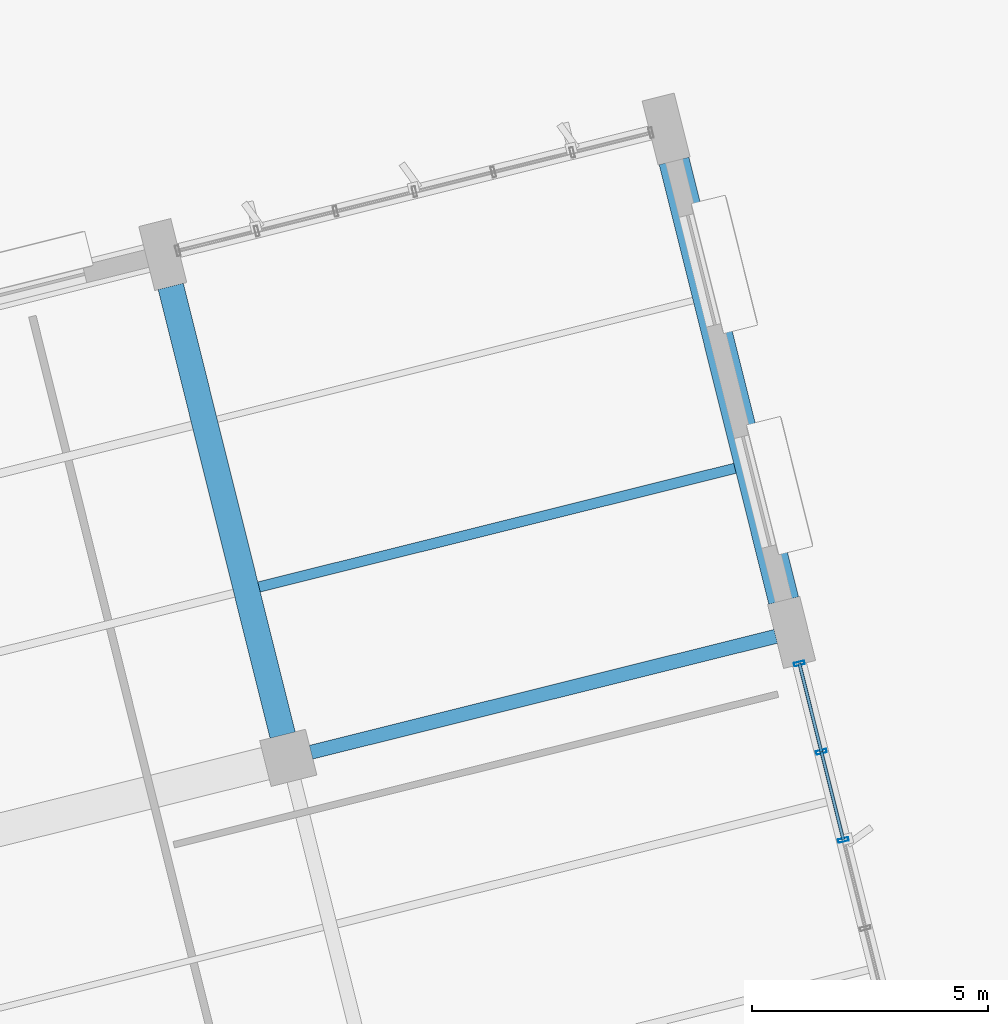
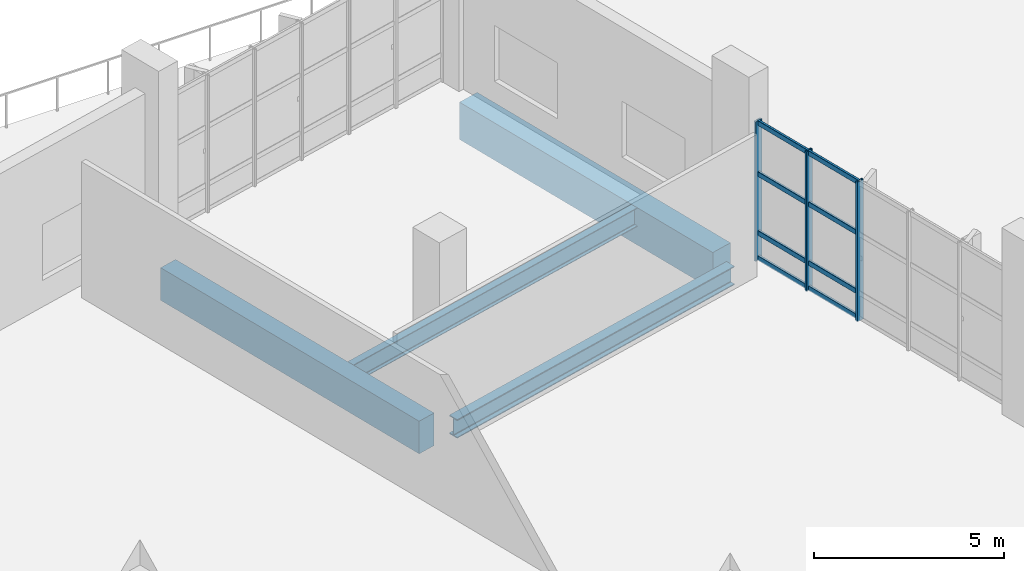
# One storey, part 102 of 163: 11 members, 4 beams, 1 element without a shape of its own.
"""IFC4 building model written with IfcOpenShell, lengths in metres."""

from ifc_helpers import new_model, si_unit, direction, frame, origin, origin_2d, place, context, subcontext, project, spatial, rectangle, hollow_rectangle, i_section, extrude, material, layer, layer_set, material_profile, profile_set, type_object, element, aggregate, save


model = new_model("IFC4")

# Units and contexts
model_context = context("Model", 3, precision=1e-05, world=origin(), true_north=direction((0.0, 1.0)))
body_context = subcontext(model_context, "Body", "Model", "MODEL_VIEW")
ifc_project = project(units=[si_unit("LENGTHUNIT", "METRE"), si_unit("AREAUNIT", "SQUARE_METRE"), si_unit("VOLUMEUNIT", "CUBIC_METRE"), si_unit("PLANEANGLEUNIT", "RADIAN"), si_unit("MASSUNIT", "GRAM", prefix="KILO")], contexts=[model_context])

# Site, building, storey
site_placement = place(None, origin())
site = spatial("IfcSite", under=ifc_project, at=site_placement, CompositionType="ELEMENT")
building_placement = place(site_placement, origin())
building = spatial("IfcBuilding", under=site, at=building_placement, Name="Khorjan Park Terminus", CompositionType="ELEMENT")
storey_placement = place(building_placement, origin())
storey = spatial("IfcBuildingStorey", under=building, at=storey_placement, Name="L00", CompositionType="ELEMENT", Elevation=0.0)

# Beams
ifc_material_1 = material(Name="Steel S355", Category="steel")
ifc_material_profile_1 = material_profile(ifc_material_1, i_section(OverallWidth=0.3, OverallDepth=0.6, WebThickness=0.0155, FlangeThickness=0.03, FilletRadius=0.027, at=origin_2d()), Name="HEB 600")
ifc_profile_set_1 = profile_set([ifc_material_profile_1], Name="Steel S355")
beam_type_1 = type_object("IfcBeamType", Name="BM-HEB600", PredefinedType="BEAM", material=ifc_profile_set_1)
beam_1_placement = place(storey_placement, frame((206.5409, 68.7917, -0.65), z_axis=(0.97029631121, 0.241919549545, 0.0), x_axis=(-0.241919549545, 0.97029631121, 0.0)))
element("IfcBeam", 1, at=beam_1_placement, inside=storey, type_object=beam_type_1, Name="Primary skew-grid floor girder SB-B60 (L00)", PredefinedType="BEAM", context=body_context, shape_type="SweptSolid", body=[
    extrude(i_section(OverallWidth=0.3, OverallDepth=0.6, WebThickness=0.0155, FlangeThickness=0.03, FilletRadius=0.027, at=origin_2d()), origin(), (0.0, 0.0, 1.0), 10.16),
])
ifc_material_2 = material(Name="Concrete C40/50", Category="concrete")
ifc_material_profile_2 = material_profile(ifc_material_2, rectangle(XDim=0.55, YDim=1.05, at=origin_2d()), Name="RC 550x1050")
ifc_profile_set_2 = profile_set([ifc_material_profile_2], Name="Concrete C40/50")
beam_type_2 = type_object("IfcBeamType", Name="BM-RC550x1050", PredefinedType="BEAM", material=ifc_profile_set_2)
beam_2_placement = place(storey_placement, frame((205.9408, 69.1523, -0.875), z_axis=(-0.241916758476, 0.97029700709, 0.0), x_axis=(-0.97029700709, -0.241916758476, 0.0)))
element("IfcBeam", 2, at=beam_2_placement, inside=storey, type_object=beam_type_2, Name="Primary skew-grid floor girder GB-105 (L00)", PredefinedType="BEAM", context=body_context, shape_type="SweptSolid", body=[
    extrude(rectangle(XDim=0.55, YDim=1.05, at=origin_2d()), origin(), (0.0, 0.0, 1.0), 9.81),
])
ifc_material_profile_3 = material_profile(ifc_material_2, rectangle(XDim=0.65, YDim=1.2, at=origin_2d()), Name="RC 650x1200")
ifc_profile_set_3 = profile_set([ifc_material_profile_3], Name="Concrete C40/50")
beam_type_3 = type_object("IfcBeamType", Name="BM-RC650x1200", PredefinedType="BEAM", material=ifc_profile_set_3)
beam_3_placement = place(storey_placement, frame((216.5657, 72.0075, -0.95), z_axis=(-0.241925915978, 0.970294723874, 0.0), x_axis=(-0.970294723874, -0.241925915978, 0.0)))
element("IfcBeam", 3, at=beam_3_placement, inside=storey, type_object=beam_type_3, Name="Primary skew-grid floor girder GB-12 (L00)", PredefinedType="BEAM", context=body_context, shape_type="SweptSolid", body=[
    extrude(rectangle(XDim=0.65, YDim=1.2, at=origin_2d()), origin(), (0.0, 0.0, 1.0), 9.61),
])
ifc_material_profile_4 = material_profile(ifc_material_1, i_section(OverallWidth=0.22, OverallDepth=0.6, WebThickness=0.012, FlangeThickness=0.019, FilletRadius=0.024, at=origin_2d()), Name="IPE 600")
ifc_profile_set_4 = profile_set([ifc_material_profile_4], Name="Steel S355")
beam_type_4 = type_object("IfcBeamType", Name="JS-IPE600", PredefinedType="JOIST", material=ifc_profile_set_4)
beam_4_placement = place(storey_placement, frame((205.4403, 72.2963, -0.65), z_axis=(0.970295586552, 0.241922456002, 0.0), x_axis=(-0.241922456002, 0.970295586552, 0.0)))
element("IfcBeam", 4, at=beam_4_placement, inside=storey, type_object=beam_type_4, Name="Secondary composite floor joist SJ-60 (L00)", PredefinedType="JOIST", context=body_context, shape_type="SweptSolid", body=[
    extrude(i_section(OverallWidth=0.22, OverallDepth=0.6, WebThickness=0.012, FlangeThickness=0.019, FilletRadius=0.024, at=origin_2d()), origin(), (0.0, 0.0, 1.0), 10.4),
])

# Curtain wall, members
ifc_material_3 = material(Name="Anodized Bronze Aluminium", Category="aluminium")
ifc_layer = layer(ifc_material_3, 0.22)
ifc_layer_set = layer_set([ifc_layer], Name="Anodized Bronze Aluminium")
curtain_wall_type = type_object("IfcCurtainWallType", Name="CW-OPS-B", PredefinedType="NOTDEFINED", material=ifc_layer_set)
curtain_wall_placement = place(storey_placement, origin())
curtain_wall = element("IfcCurtainWall", 5, at=curtain_wall_placement, inside=storey, type_object=curtain_wall_type, Name="Unitized curtain wall CW-B (CW-V5-E-L00-B05)", PredefinedType="NOTDEFINED")
ifc_material_profile_5 = material_profile(ifc_material_3, hollow_rectangle(XDim=0.075, YDim=0.225, WallThickness=0.005, InnerFilletRadius=0.005, OuterFilletRadius=0.01, at=origin_2d()), Name="ALM 75x225x5")
ifc_profile_set_5 = profile_set([ifc_material_profile_5], Name="Anodized Bronze Aluminium")
member_type_1 = type_object("IfcMemberType", Name="ML-ALM-225", PredefinedType="MULLION", material=ifc_profile_set_5)
member_1_placement = place(storey_placement, frame((217.8312, 66.9318, -0.035), z_axis=(0.0, 0.0, 1.0), x_axis=(-0.241935125171, 0.970292427678, 0.0)))
member_1 = element("IfcMember", 6, at=member_1_placement, type_object=member_type_1, Name="Curtain-wall mullion ML-22 (CW-V5-E-L00-B05-3)", PredefinedType="MULLION", context=body_context, shape_type="SweptSolid", body=[
    extrude(hollow_rectangle(XDim=0.075, YDim=0.225, WallThickness=0.005, InnerFilletRadius=0.005, OuterFilletRadius=0.01, at=origin_2d()), origin(), (0.0, 0.0, 1.0), 4.495),
])
member_2_placement = place(storey_placement, frame((217.3647, 68.8025, -0.035), z_axis=(0.0, 0.0, 1.0), x_axis=(-0.241935125171, 0.970292427678, 0.0)))
member_2 = element("IfcMember", 7, at=member_2_placement, type_object=member_type_1, Name="Curtain-wall mullion ML-22 (CW-V5-E-L00-B05-4)", PredefinedType="MULLION", context=body_context, shape_type="SweptSolid", body=[
    extrude(hollow_rectangle(XDim=0.075, YDim=0.225, WallThickness=0.005, InnerFilletRadius=0.005, OuterFilletRadius=0.01, at=origin_2d()), origin(), (0.0, 0.0, 1.0), 4.495),
])
member_3_placement = place(storey_placement, frame((216.8983, 70.6732, -0.035), z_axis=(0.0, 0.0, 1.0), x_axis=(-0.241935125171, 0.970292427678, 0.0)))
member_3 = element("IfcMember", 8, at=member_3_placement, type_object=member_type_1, Name="Curtain-wall mullion ML-22 (CW-V5-E-L00-B05-5)", PredefinedType="MULLION", context=body_context, shape_type="SweptSolid", body=[
    extrude(hollow_rectangle(XDim=0.075, YDim=0.225, WallThickness=0.005, InnerFilletRadius=0.005, OuterFilletRadius=0.01, at=origin_2d()), origin(), (0.0, 0.0, 1.0), 4.495),
])
ifc_material_profile_6 = material_profile(ifc_material_3, hollow_rectangle(XDim=0.07, YDim=0.16, WallThickness=0.004, InnerFilletRadius=0.004, OuterFilletRadius=0.008, at=origin_2d()), Name="ALT 70x160x4")
ifc_profile_set_6 = profile_set([ifc_material_profile_6], Name="Anodized Bronze Aluminium")
member_type_2 = type_object("IfcMemberType", Name="TR-ALT-160", PredefinedType="USERDEFINED", material=ifc_profile_set_6)
member_4_placement = place(storey_placement, frame((217.8312, 66.9318, 0.04), z_axis=(-0.241961988875, 0.97028572902, 0.0), x_axis=(-0.97028572902, -0.241961988875, 0.0)))
member_4 = element("IfcMember", 9, at=member_4_placement, type_object=member_type_2, Name="Curtain-wall transom TR-16 (CW-V5-E-L00-B05-3-1)", ObjectType="TRANSOM", PredefinedType="USERDEFINED", context=body_context, shape_type="SweptSolid", body=[
    extrude(hollow_rectangle(XDim=0.07, YDim=0.16, WallThickness=0.004, InnerFilletRadius=0.004, OuterFilletRadius=0.008, at=origin_2d()), origin(), (0.0, 0.0, 1.0), 1.928),
])
member_5_placement = place(storey_placement, frame((217.8312, 66.9318, 0.85), z_axis=(-0.241961988875, 0.97028572902, 0.0), x_axis=(-0.97028572902, -0.241961988875, 0.0)))
member_5 = element("IfcMember", 10, at=member_5_placement, type_object=member_type_2, Name="Curtain-wall transom TR-16 (CW-V5-E-L00-B05-3-2)", ObjectType="TRANSOM", PredefinedType="USERDEFINED", context=body_context, shape_type="SweptSolid", body=[
    extrude(hollow_rectangle(XDim=0.07, YDim=0.16, WallThickness=0.004, InnerFilletRadius=0.004, OuterFilletRadius=0.008, at=origin_2d()), origin(), (0.0, 0.0, 1.0), 1.928),
])
member_6_placement = place(storey_placement, frame((217.8312, 66.9318, 2.7435), z_axis=(-0.241961988875, 0.97028572902, 0.0), x_axis=(-0.97028572902, -0.241961988875, 0.0)))
member_6 = element("IfcMember", 11, at=member_6_placement, type_object=member_type_2, Name="Curtain-wall transom TR-16 (CW-V5-E-L00-B05-3-3)", ObjectType="TRANSOM", PredefinedType="USERDEFINED", context=body_context, shape_type="SweptSolid", body=[
    extrude(hollow_rectangle(XDim=0.07, YDim=0.16, WallThickness=0.004, InnerFilletRadius=0.004, OuterFilletRadius=0.008, at=origin_2d()), origin(), (0.0, 0.0, 1.0), 1.928),
])
member_7_placement = place(storey_placement, frame((217.8312, 66.9318, 4.385), z_axis=(-0.241961988875, 0.97028572902, 0.0), x_axis=(-0.97028572902, -0.241961988875, 0.0)))
member_7 = element("IfcMember", 12, at=member_7_placement, type_object=member_type_2, Name="Curtain-wall transom TR-16 (CW-V5-E-L00-B05-3-4)", ObjectType="TRANSOM", PredefinedType="USERDEFINED", context=body_context, shape_type="SweptSolid", body=[
    extrude(hollow_rectangle(XDim=0.07, YDim=0.16, WallThickness=0.004, InnerFilletRadius=0.004, OuterFilletRadius=0.008, at=origin_2d()), origin(), (0.0, 0.0, 1.0), 1.928),
])
member_8_placement = place(storey_placement, frame((217.3647, 68.8025, 0.04), z_axis=(-0.241913157049, 0.970297905, 0.0), x_axis=(-0.970297905, -0.241913157049, 0.0)))
member_8 = element("IfcMember", 13, at=member_8_placement, type_object=member_type_2, Name="Curtain-wall transom TR-16 (CW-V5-E-L00-B05-4-1)", ObjectType="TRANSOM", PredefinedType="USERDEFINED", context=body_context, shape_type="SweptSolid", body=[
    extrude(hollow_rectangle(XDim=0.07, YDim=0.16, WallThickness=0.004, InnerFilletRadius=0.004, OuterFilletRadius=0.008, at=origin_2d()), origin(), (0.0, 0.0, 1.0), 1.928),
])
member_9_placement = place(storey_placement, frame((217.3647, 68.8025, 0.85), z_axis=(-0.241913157049, 0.970297905, 0.0), x_axis=(-0.970297905, -0.241913157049, 0.0)))
member_9 = element("IfcMember", 14, at=member_9_placement, type_object=member_type_2, Name="Curtain-wall transom TR-16 (CW-V5-E-L00-B05-4-2)", ObjectType="TRANSOM", PredefinedType="USERDEFINED", context=body_context, shape_type="SweptSolid", body=[
    extrude(hollow_rectangle(XDim=0.07, YDim=0.16, WallThickness=0.004, InnerFilletRadius=0.004, OuterFilletRadius=0.008, at=origin_2d()), origin(), (0.0, 0.0, 1.0), 1.928),
])
member_10_placement = place(storey_placement, frame((217.3647, 68.8025, 2.7435), z_axis=(-0.241913157049, 0.970297905, 0.0), x_axis=(-0.970297905, -0.241913157049, 0.0)))
member_10 = element("IfcMember", 15, at=member_10_placement, type_object=member_type_2, Name="Curtain-wall transom TR-16 (CW-V5-E-L00-B05-4-3)", ObjectType="TRANSOM", PredefinedType="USERDEFINED", context=body_context, shape_type="SweptSolid", body=[
    extrude(hollow_rectangle(XDim=0.07, YDim=0.16, WallThickness=0.004, InnerFilletRadius=0.004, OuterFilletRadius=0.008, at=origin_2d()), origin(), (0.0, 0.0, 1.0), 1.928),
])
member_11_placement = place(storey_placement, frame((217.3647, 68.8025, 4.385), z_axis=(-0.241913157049, 0.970297905, 0.0), x_axis=(-0.970297905, -0.241913157049, 0.0)))
member_11 = element("IfcMember", 16, at=member_11_placement, type_object=member_type_2, Name="Curtain-wall transom TR-16 (CW-V5-E-L00-B05-4-4)", ObjectType="TRANSOM", PredefinedType="USERDEFINED", context=body_context, shape_type="SweptSolid", body=[
    extrude(hollow_rectangle(XDim=0.07, YDim=0.16, WallThickness=0.004, InnerFilletRadius=0.004, OuterFilletRadius=0.008, at=origin_2d()), origin(), (0.0, 0.0, 1.0), 1.928),
])
aggregate(curtain_wall, [member_1, member_2, member_3, member_4, member_5, member_6, member_7, member_8, member_9, member_10, member_11])

save(model, "model.ifc")
